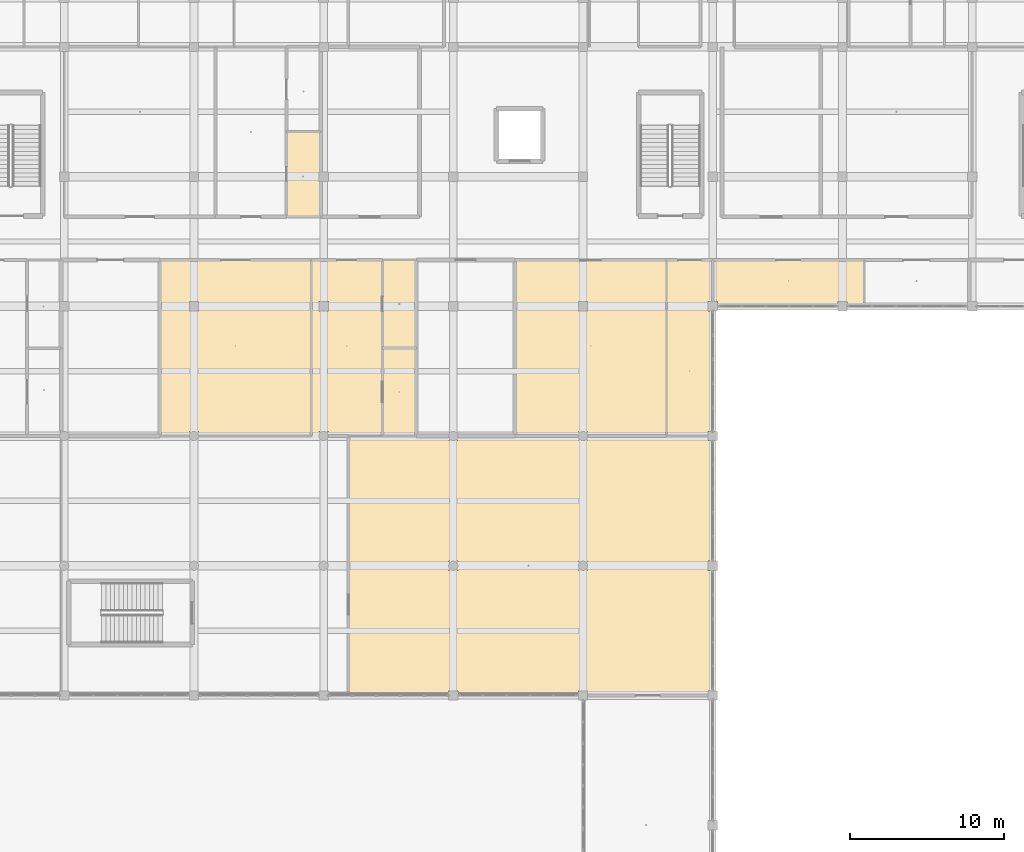
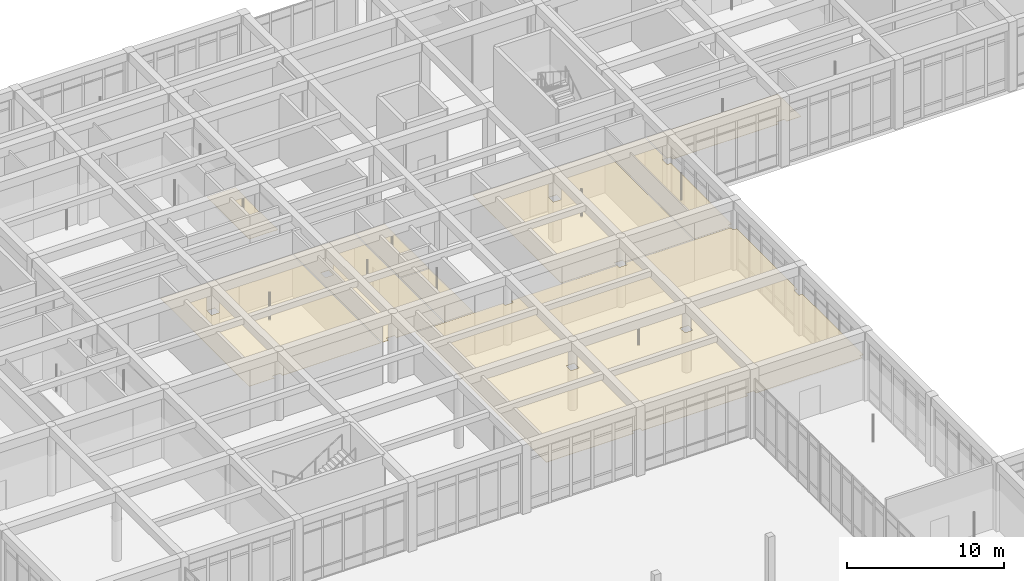
# One storey, part 144 of 157: 9 coverings.
"""IFC4 building model written with IfcOpenShell, lengths in metres."""

from ifc_helpers import new_model, si_unit, direction, frame, origin, place, context, subcontext, project, spatial, polyline, outline, extrude, material, layer, layer_set, type_object, element, save


model = new_model("IFC4")

# Units and contexts
model_context = context("Model", 3, precision=1e-05, world=origin(), true_north=direction((0.0, 1.0)))
body_context = subcontext(model_context, "Body", "Model", "MODEL_VIEW")
ifc_project = project(units=[si_unit("LENGTHUNIT", "METRE"), si_unit("AREAUNIT", "SQUARE_METRE"), si_unit("VOLUMEUNIT", "CUBIC_METRE"), si_unit("PLANEANGLEUNIT", "RADIAN"), si_unit("MASSUNIT", "GRAM", prefix="KILO")], contexts=[model_context])

# Site, building, storey
site_placement = place(None, origin())
site = spatial("IfcSite", under=ifc_project, at=site_placement, CompositionType="ELEMENT")
building_placement = place(site_placement, origin())
building = spatial("IfcBuilding", under=site, at=building_placement, Name="Varncliffe General Hospital", CompositionType="ELEMENT")
storey_placement = place(building_placement, frame((0.0, 0.0, 5.39990234375)))
storey = spatial("IfcBuildingStorey", under=building, at=storey_placement, Name="L01", CompositionType="ELEMENT", Elevation=5.39990234375)

# Coverings
ifc_material = material(Name="Hygienic antimicrobial acoustic suspended ceiling tile", Category="gypsum")
ifc_layer = layer(ifc_material, 0.02490234375)
ifc_layer_set = layer_set([ifc_layer], Name="Hygienic antimicrobial acoustic suspended ceiling tile")
covering_type = type_object("IfcCoveringType", Name="Antimicrobial Acoustic Suspended Ceiling CLG44", PredefinedType="CEILING", material=ifc_layer_set)
covering_1_placement = place(storey_placement, frame((0.0, 0.0, 3.175048828125)))
element("IfcCovering", 1, at=covering_1_placement, inside=storey, type_object=covering_type, Name="L01 Clinical Conferencing and Telemedicine Suite Suspended Ceiling", PredefinedType="CEILING", context=body_context, shape_type="SweptSolid", body=[
    extrude(outline(polyline([(108.89990234375, 74.360107421875), (108.89990234375, 74.10009765625), (109.5, 74.10009765625), (109.5, 74.360107421875), (117.300048828125, 74.360107421875), (117.300048828125, 74.10009765625), (117.56005859375, 74.10009765625), (117.56005859375, 66.300048828125), (117.300048828125, 66.300048828125), (117.300048828125, 65.699951171875), (117.56005859375, 65.699951171875), (117.56005859375, 57.89990234375), (117.300048828125, 57.89990234375), (117.300048828125, 57.639892578125), (109.5, 57.639892578125), (109.5, 57.89990234375), (108.89990234375, 57.89990234375), (108.89990234375, 57.639892578125), (101.10009765625, 57.639892578125), (101.10009765625, 57.89990234375), (100.5, 57.89990234375), (100.5, 57.639892578125), (94.0400390625, 57.639892578125), (94.0400390625, 74.360107421875), (100.5, 74.360107421875), (100.5, 74.10009765625), (101.10009765625, 74.10009765625), (101.10009765625, 74.360107421875), (108.89990234375, 74.360107421875)]), holes=[polyline([(101.10009765625, 65.699951171875), (101.10009765625, 66.300048828125), (100.5, 66.300048828125), (100.5, 65.699951171875), (101.10009765625, 65.699951171875)]), polyline([(109.5, 65.699951171875), (109.5, 66.300048828125), (108.89990234375, 66.300048828125), (108.89990234375, 65.699951171875), (109.5, 65.699951171875)])]), origin(), (0.0, 0.0, 1.0), 0.025146484375),
])
covering_2_placement = place(storey_placement, frame((0.0, 0.0, 3.175048828125)))
element("IfcCovering", 2, at=covering_2_placement, inside=storey, type_object=covering_type, Name="L01 Inpatient Hospital Pharmacy Cleanroom 82 Suspended Ceiling", PredefinedType="CEILING", context=body_context, shape_type="SweptSolid", body=[
    extrude(outline(polyline([(81.840087890625, 74.43994140625), (81.840087890625, 85.760009765625), (91.56005859375, 85.760009765625), (91.56005859375, 74.43994140625), (84.300048828125, 74.43994140625), (84.300048828125, 74.699951171875), (83.699951171875, 74.699951171875), (83.699951171875, 74.43994140625), (81.840087890625, 74.43994140625)]), holes=[polyline([(84.300048828125, 82.5), (84.300048828125, 83.10009765625), (83.699951171875, 83.10009765625), (83.699951171875, 82.5), (84.300048828125, 82.5)])]), origin(), (0.0, 0.0, 1.0), 0.025146484375),
])
covering_3_placement = place(storey_placement, frame((0.0, 0.0, 3.175048828125)))
element("IfcCovering", 3, at=covering_3_placement, inside=storey, type_object=covering_type, Name="L01 Pre-Operative Patient Admission Bay 83 Suspended Ceiling", PredefinedType="CEILING", context=body_context, shape_type="SweptSolid", body=[
    extrude(outline(polyline([(91.639892578125, 74.43994140625), (91.639892578125, 85.760009765625), (96.159912109375, 85.760009765625), (96.159912109375, 74.43994140625), (92.699951171875, 74.43994140625), (92.699951171875, 74.699951171875), (92.10009765625, 74.699951171875), (92.10009765625, 74.43994140625), (91.639892578125, 74.43994140625)]), holes=[polyline([(92.699951171875, 82.5), (92.699951171875, 83.10009765625), (92.10009765625, 83.10009765625), (92.10009765625, 82.5), (92.699951171875, 82.5)])]), origin(), (0.0, 0.0, 1.0), 0.025146484375),
])
covering_4_placement = place(storey_placement, frame((0.0, 0.0, 3.175048828125)))
element("IfcCovering", 4, at=covering_4_placement, inside=storey, type_object=covering_type, Name="L01 En-Suite Bathroom 84 Suspended Ceiling", PredefinedType="CEILING", context=body_context, shape_type="SweptSolid", body=[
    extrude(outline(polyline([(98.360107421875, 80.139892578125), (98.360107421875, 85.760009765625), (96.239990234375, 85.760009765625), (96.239990234375, 80.139892578125), (98.360107421875, 80.139892578125)])), origin(), (0.0, 0.0, 1.0), 0.025146484375),
])
covering_5_placement = place(storey_placement, frame((0.0, 0.0, 3.175048828125)))
element("IfcCovering", 5, at=covering_5_placement, inside=storey, type_object=covering_type, Name="L01 Patient Medication and Hygiene Bay 85 Suspended Ceiling", PredefinedType="CEILING", context=body_context, shape_type="SweptSolid", body=[
    extrude(outline(polyline([(98.360107421875, 74.43994140625), (98.360107421875, 80.06005859375), (96.239990234375, 80.06005859375), (96.239990234375, 74.43994140625), (98.360107421875, 74.43994140625)])), origin(), (0.0, 0.0, 1.0), 0.025146484375),
])
covering_6_placement = place(storey_placement, frame((0.0, 0.0, 3.175048828125)))
element("IfcCovering", 6, at=covering_6_placement, inside=storey, type_object=covering_type, Name="L01 Inpatient Hospital Pharmacy Cleanroom 87 Suspended Ceiling", PredefinedType="CEILING", context=body_context, shape_type="SweptSolid", body=[
    extrude(outline(polyline([(104.840087890625, 74.43994140625), (104.840087890625, 85.760009765625), (114.56005859375, 85.760009765625), (114.56005859375, 74.43994140625), (109.5, 74.43994140625), (109.5, 74.699951171875), (108.89990234375, 74.699951171875), (108.89990234375, 74.43994140625), (104.840087890625, 74.43994140625)]), holes=[polyline([(109.5, 82.5), (109.5, 83.10009765625), (108.89990234375, 83.10009765625), (108.89990234375, 82.5), (109.5, 82.5)])]), origin(), (0.0, 0.0, 1.0), 0.025146484375),
])
covering_7_placement = place(storey_placement, frame((0.0, 0.0, 3.175048828125)))
element("IfcCovering", 7, at=covering_7_placement, inside=storey, type_object=covering_type, Name="L01 Pre-Operative Patient Admission Bay 88 Suspended Ceiling", PredefinedType="CEILING", context=body_context, shape_type="SweptSolid", body=[
    extrude(outline(polyline([(114.639892578125, 85.760009765625), (117.56005859375, 85.760009765625), (117.56005859375, 83.10009765625), (117.300048828125, 83.10009765625), (117.300048828125, 82.5), (117.56005859375, 82.5), (117.56005859375, 74.699951171875), (117.300048828125, 74.699951171875), (117.300048828125, 74.43994140625), (114.639892578125, 74.43994140625), (114.639892578125, 85.760009765625)])), origin(), (0.0, 0.0, 1.0), 0.025146484375),
])
covering_8_placement = place(storey_placement, frame((0.0, 0.0, 3.175048828125)))
element("IfcCovering", 8, at=covering_8_placement, inside=storey, type_object=covering_type, Name="L01 Inpatient Hospital Pharmacy Cleanroom 89 Suspended Ceiling", PredefinedType="CEILING", context=body_context, shape_type="SweptSolid", body=[
    extrude(outline(polyline([(127.360107421875, 85.760009765625), (127.360107421875, 82.840087890625), (126.300048828125, 82.840087890625), (126.300048828125, 83.10009765625), (125.699951171875, 83.10009765625), (125.699951171875, 82.840087890625), (117.89990234375, 82.840087890625), (117.89990234375, 83.10009765625), (117.639892578125, 83.10009765625), (117.639892578125, 85.760009765625), (127.360107421875, 85.760009765625)])), origin(), (0.0, 0.0, 1.0), 0.025146484375),
])
covering_9_placement = place(storey_placement, frame((0.0, 0.0, 3.175048828125)))
element("IfcCovering", 9, at=covering_9_placement, inside=storey, type_object=covering_type, Name="L01 En-Suite Bathroom 96 Suspended Ceiling", PredefinedType="CEILING", context=body_context, shape_type="SweptSolid", body=[
    extrude(outline(polyline([(92.159912109375, 88.639892578125), (90.0400390625, 88.639892578125), (90.0400390625, 94.06005859375), (92.159912109375, 94.06005859375), (92.159912109375, 91.5), (92.10009765625, 91.5), (92.10009765625, 90.89990234375), (92.159912109375, 90.89990234375), (92.159912109375, 88.639892578125)])), origin(), (0.0, 0.0, 1.0), 0.025146484375),
])

save(model, "model.ifc")
